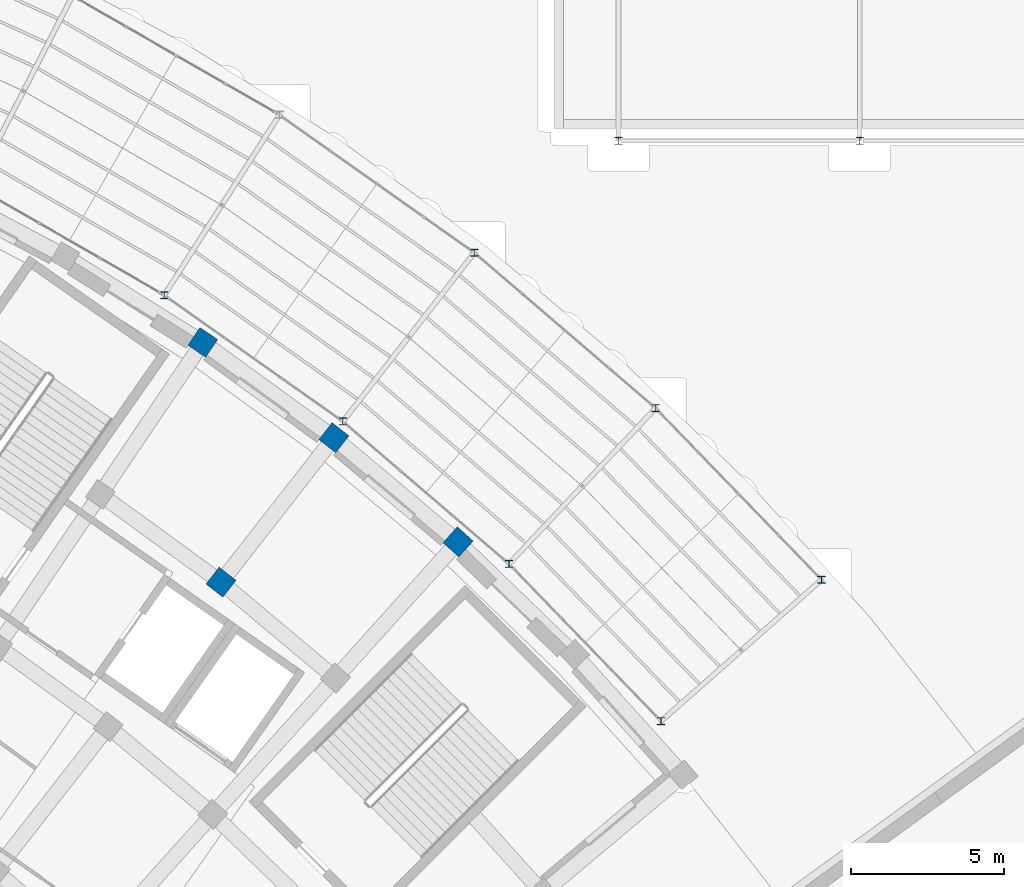
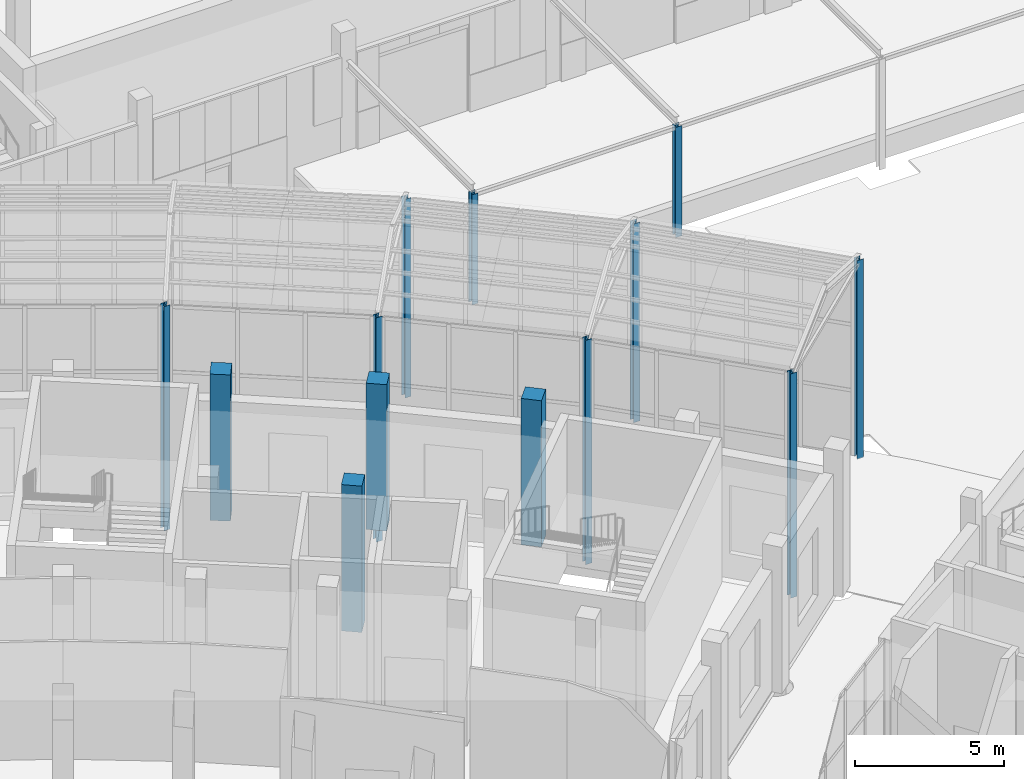
# One storey, part 17 of 155: 13 columns.
"""IFC4 building model written with IfcOpenShell, lengths in metres."""

from ifc_helpers import new_model, si_unit, direction, frame, origin, origin_2d, place, context, subcontext, project, spatial, rectangle, i_section, extrude, material, material_profile, profile_set, type_object, element, save


model = new_model("IFC4")

# Units and contexts
model_context = context("Model", 3, precision=1e-05, world=origin(), true_north=direction((0.0, 1.0)))
body_context = subcontext(model_context, "Body", "Model", "MODEL_VIEW")
ifc_project = project(units=[si_unit("LENGTHUNIT", "METRE"), si_unit("AREAUNIT", "SQUARE_METRE"), si_unit("VOLUMEUNIT", "CUBIC_METRE"), si_unit("PLANEANGLEUNIT", "RADIAN"), si_unit("MASSUNIT", "GRAM", prefix="KILO")], contexts=[model_context])

# Site, building, storey
site_placement = place(None, origin())
site = spatial("IfcSite", under=ifc_project, at=site_placement, CompositionType="ELEMENT")
building_placement = place(site_placement, origin())
building = spatial("IfcBuilding", under=site, at=building_placement, Name="Lunette Opera House", CompositionType="ELEMENT")
storey_placement = place(building_placement, origin())
storey = spatial("IfcBuildingStorey", under=building, at=storey_placement, Name="L00", CompositionType="ELEMENT", Elevation=0.0)

# Columns
ifc_material_1 = material(Name="Concrete C35/45", Category="concrete")
ifc_material_profile_1 = material_profile(ifc_material_1, rectangle(XDim=0.699951171875, YDim=0.699951171875, at=origin_2d()), Name="RC COLUMN 700X700")
ifc_profile_set_1 = profile_set([ifc_material_profile_1], Name="Concrete C35/45")
column_type_1 = type_object("IfcColumnType", Name="RC COLUMN 700X700", PredefinedType="COLUMN", material=ifc_profile_set_1)
for number, where, z_axis, x_axis, name in (
    (1, (139.095947265625, 55.160888671875, 0.0), (0.0, 0.0, 1.0), (0.788010753607, -0.615661475326, 0.0), "col-FC-L00-AR-M2-RL-23"),
    (2, (138.4990234375, 63.007080078125, 0.0), (0.0, 0.0, 1.0), (0.829037572555, -0.559192903471, 0.0), "col-FC-L00-AR-C-RL-22"),
    (3, (142.7900390625, 59.888916015625, 0.0), (0.0, 0.0, 1.0), (0.788010753607, -0.615661475326, 0.0), "col-FC-L00-AR-C-RL-23"),
    (4, (146.85400390625, 56.47900390625, 0.0), (0.0, 0.0, 1.0), (0.743144825477, -0.669130606359, 0.0), "col-FC-L00-AR-C-RL-24"),
):
    element("IfcColumn", number, at=place(storey_placement, frame(where, z_axis=z_axis, x_axis=x_axis)), inside=storey, type_object=column_type_1, Name=name, PredefinedType="COLUMN", context=body_context, shape_type="SweptSolid", body=[
        extrude(rectangle(XDim=0.699951171875, YDim=0.699951171875, at=origin_2d()), origin(), (0.0, 0.0, 1.0), 6.0),
    ])
ifc_material_2 = material(Name="Steel S355", Category="steel")
ifc_material_profile_2 = material_profile(ifc_material_2, i_section(OverallWidth=0.239990234375, OverallDepth=0.22998046875, WebThickness=0.007568359375, FlangeThickness=0.011962890625, FilletRadius=0.02099609375, at=origin_2d()), Name="HEA 240")
ifc_profile_set_2 = profile_set([ifc_material_profile_2], Name="Steel S355")
column_type_2 = type_object("IfcColumnType", Name="STEEL COLUMN HEA 240", PredefinedType="COLUMN", material=ifc_profile_set_2)
for number, where, z_axis, x_axis, name in (
    (5, (152.10009765625, 69.60009765625, -0.050048828125), (0.0, 0.0, 1.0), (1.0, 0.0, 0.0), "col-WW-L00-DC1"),
    (6, (160.0, 69.60009765625, -0.050048828125), (0.0, 0.0, 1.0), (1.0, 0.0, 0.0), "col-WW-L00-DC2"),
):
    element("IfcColumn", number, at=place(storey_placement, frame(where, z_axis=z_axis, x_axis=x_axis)), inside=storey, type_object=column_type_2, Name=name, PredefinedType="COLUMN", context=body_context, shape_type="SweptSolid", body=[
        extrude(i_section(OverallWidth=0.239990234375, OverallDepth=0.22998046875, WebThickness=0.007568359375, FlangeThickness=0.011962890625, FilletRadius=0.02099609375, at=origin_2d()), origin(), (0.0, 0.0, 1.0), 4.52001953125),
    ])
for number, where, z_axis, x_axis, name in (
    (7, (137.238037109375, 64.552001953125, -1.050048828125), (0.0, 0.0, 1.0), (1.0, 0.0, 0.0), "col-PP-L00-PC-EI04"),
    (8, (143.083984375, 60.419921875, -1.050048828125), (0.0, 0.0, 1.0), (1.0, 0.0, 0.0), "col-PP-L00-PC-EI05"),
):
    element("IfcColumn", number, at=place(storey_placement, frame(where, z_axis=z_axis, x_axis=x_axis)), inside=storey, type_object=column_type_2, Name=name, PredefinedType="COLUMN", context=body_context, shape_type="SweptSolid", body=[
        extrude(i_section(OverallWidth=0.239990234375, OverallDepth=0.22998046875, WebThickness=0.007568359375, FlangeThickness=0.011962890625, FilletRadius=0.02099609375, at=origin_2d()), origin(), (0.0, 0.0, 1.0), 9.199951171875),
    ])
column_1_placement = place(storey_placement, frame((147.386962890625, 65.94189453125, 0.0), z_axis=(0.0, 0.0, 1.0), x_axis=(1.0, 0.0, 0.0)))
element("IfcColumn", 9, at=column_1_placement, inside=storey, type_object=column_type_2, Name="col-PP-L00-PC-EO05", PredefinedType="COLUMN", context=body_context, shape_type="SweptSolid", body=[
    extrude(i_section(OverallWidth=0.239990234375, OverallDepth=0.22998046875, WebThickness=0.007568359375, FlangeThickness=0.011962890625, FilletRadius=0.02099609375, at=origin_2d()), origin(), (0.0, 0.0, 1.0), 8.14990234375),
])
column_2_placement = place(storey_placement, frame((148.52001953125, 55.760009765625, -1.050048828125), z_axis=(0.0, 0.0, 1.0), x_axis=(1.0, 0.0, 0.0)))
element("IfcColumn", 10, at=column_2_placement, inside=storey, type_object=column_type_2, Name="col-PP-L00-PC-EI06", PredefinedType="COLUMN", context=body_context, shape_type="SweptSolid", body=[
    extrude(i_section(OverallWidth=0.239990234375, OverallDepth=0.22998046875, WebThickness=0.007568359375, FlangeThickness=0.011962890625, FilletRadius=0.02099609375, at=origin_2d()), origin(), (0.0, 0.0, 1.0), 9.199951171875),
])
column_3_placement = place(storey_placement, frame((153.319091796875, 60.85595703125, 0.0), z_axis=(0.0, 0.0, 1.0), x_axis=(1.0, 0.0, 0.0)))
element("IfcColumn", 11, at=column_3_placement, inside=storey, type_object=column_type_2, Name="col-PP-L00-PC-EO06", PredefinedType="COLUMN", context=body_context, shape_type="SweptSolid", body=[
    extrude(i_section(OverallWidth=0.239990234375, OverallDepth=0.22998046875, WebThickness=0.007568359375, FlangeThickness=0.011962890625, FilletRadius=0.02099609375, at=origin_2d()), origin(), (0.0, 0.0, 1.0), 8.14990234375),
])
column_4_placement = place(storey_placement, frame((153.49609375, 50.613037109375, -1.050048828125), z_axis=(0.0, 0.0, 1.0), x_axis=(1.0, 0.0, 0.0)))
element("IfcColumn", 12, at=column_4_placement, inside=storey, type_object=column_type_2, Name="col-PP-L00-PC-EI07", PredefinedType="COLUMN", context=body_context, shape_type="SweptSolid", body=[
    extrude(i_section(OverallWidth=0.239990234375, OverallDepth=0.22998046875, WebThickness=0.007568359375, FlangeThickness=0.011962890625, FilletRadius=0.02099609375, at=origin_2d()), origin(), (0.0, 0.0, 1.0), 9.199951171875),
])
column_5_placement = place(storey_placement, frame((158.7509765625, 55.239013671875, 0.0), z_axis=(0.0, 0.0, 1.0), x_axis=(1.0, 0.0, 0.0)))
element("IfcColumn", 13, at=column_5_placement, inside=storey, type_object=column_type_2, Name="col-PP-L00-PC-EO07", PredefinedType="COLUMN", context=body_context, shape_type="SweptSolid", body=[
    extrude(i_section(OverallWidth=0.239990234375, OverallDepth=0.22998046875, WebThickness=0.007568359375, FlangeThickness=0.011962890625, FilletRadius=0.02099609375, at=origin_2d()), origin(), (0.0, 0.0, 1.0), 8.14990234375),
])

save(model, "model.ifc")
